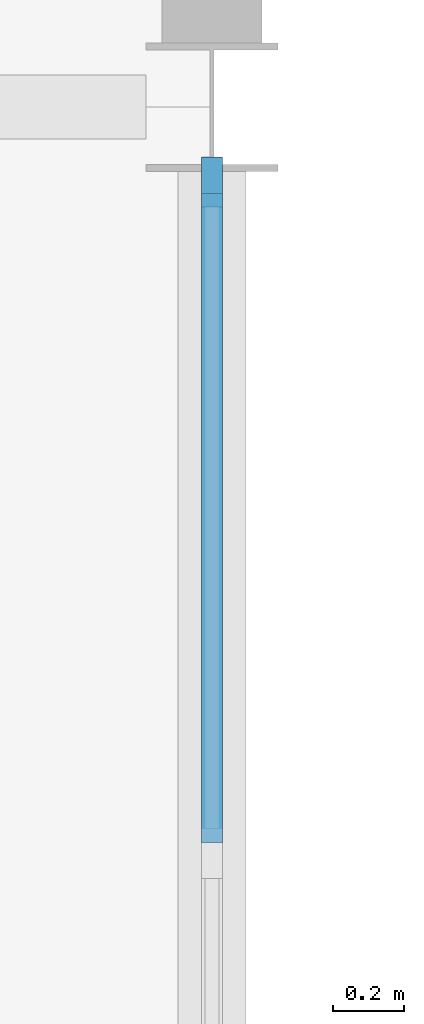
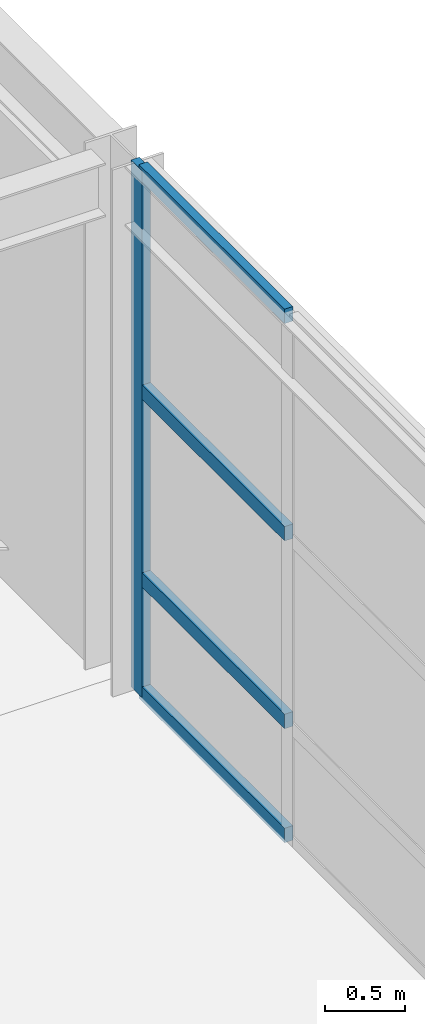
# One storey, part 11 of 34: 5 members, 1 element without a shape of its own.
"""IFC4 building model written with IfcOpenShell, lengths in metres."""

from ifc_helpers import new_model, si_unit, direction, frame, origin, origin_2d, place, context, subcontext, project, spatial, rectangle, extrude, material, layer, layer_set, material_profile, profile_set, type_object, element, aggregate, save


model = new_model("IFC4")

# Units and contexts
model_context = context("Model", 3, precision=1e-05, world=origin(), true_north=direction((0.0, 1.0)))
body_context = subcontext(model_context, "Body", "Model", "MODEL_VIEW")
ifc_project = project(units=[si_unit("LENGTHUNIT", "METRE"), si_unit("AREAUNIT", "SQUARE_METRE"), si_unit("VOLUMEUNIT", "CUBIC_METRE"), si_unit("PLANEANGLEUNIT", "RADIAN"), si_unit("MASSUNIT", "GRAM", prefix="KILO")], contexts=[model_context])

# Site, building, storey
site_placement = place(None, origin())
site = spatial("IfcSite", under=ifc_project, at=site_placement, CompositionType="ELEMENT")
building_placement = place(site_placement, origin())
building = spatial("IfcBuilding", under=site, at=building_placement, Name="Varnela Railside Interchange", CompositionType="ELEMENT")
storey_placement = place(building_placement, frame((0.0, 0.0, 19.60009765625)))
storey = spatial("IfcBuildingStorey", under=building, at=storey_placement, Name="L04", CompositionType="ELEMENT", Elevation=19.60009765625)

# Curtain wall, members
ifc_material = material(Name="Aluminium 6063-T6", Category="aluminium")
ifc_layer = layer(ifc_material, 0.035888671875)
ifc_layer_set = layer_set([ifc_layer], Name="Aluminium 6063-T6")
curtain_wall_type = type_object("IfcCurtainWallType", Name="Operations Wing Facade Curtain Wall CW-03", PredefinedType="USERDEFINED", material=ifc_layer_set)
curtain_wall_placement = place(storey_placement, origin())
curtain_wall = element("IfcCurtainWall", 1, at=curtain_wall_placement, inside=storey, type_object=curtain_wall_type, Name="Curtain Wall CW-03 (L04) (CW-112)", ObjectType="CURTAIN WALL", PredefinedType="USERDEFINED")
ifc_material_profile_1 = material_profile(ifc_material, rectangle(XDim=0.06005859375, YDim=0.139892578125, at=origin_2d()), Name="ALU 60x140")
ifc_profile_set_1 = profile_set([ifc_material_profile_1], Name="Aluminium 6063-T6")
member_type_1 = type_object("IfcMemberType", Name="Curtain Wall Mullion ML-01", PredefinedType="MULLION", material=ifc_profile_set_1)
member_1_placement = place(storey_placement, frame((52.0, 69.7900390625, 0.0), z_axis=(0.0, 0.0, 1.0), x_axis=(1.0, 0.0, 0.0)))
member_1 = element("IfcMember", 2, at=member_1_placement, type_object=member_type_1, Name="CW-03 mullion 1", PredefinedType="MULLION", context=body_context, shape_type="SweptSolid", body=[
    extrude(rectangle(XDim=0.06005859375, YDim=0.139892578125, at=origin_2d()), origin(), (0.0, 0.0, 1.0), 4.02001953125),
])
ifc_material_profile_2 = material_profile(ifc_material, rectangle(XDim=0.06005859375, YDim=0.110107421875, at=origin_2d()), Name="ALU 60x110")
ifc_profile_set_2 = profile_set([ifc_material_profile_2], Name="Aluminium 6063-T6")
member_type_2 = type_object("IfcMemberType", Name="Curtain Wall Transom TR-01", PredefinedType="USERDEFINED", material=ifc_profile_set_2)
member_2_placement = place(storey_placement, frame((52.0, 69.760009765625, 0.02978515625), z_axis=(0.0, -1.0, 0.0), x_axis=(1.0, 0.0, 0.0)))
member_2 = element("IfcMember", 3, at=member_2_placement, type_object=member_type_2, Name="CW-03 transom 1.1", ObjectType="TRANSOM", PredefinedType="USERDEFINED", context=body_context, shape_type="SweptSolid", body=[
    extrude(rectangle(XDim=0.06005859375, YDim=0.110107421875, at=origin_2d()), origin(), (0.0, 0.0, 1.0), 1.820068359375),
])
member_3_placement = place(storey_placement, frame((52.0, 69.760009765625, 0.89990234375), z_axis=(0.0, -1.0, 0.0), x_axis=(1.0, 0.0, 0.0)))
member_3 = element("IfcMember", 4, at=member_3_placement, type_object=member_type_2, Name="CW-03 transom 1.2", ObjectType="TRANSOM", PredefinedType="USERDEFINED", context=body_context, shape_type="SweptSolid", body=[
    extrude(rectangle(XDim=0.06005859375, YDim=0.110107421875, at=origin_2d()), origin(), (0.0, 0.0, 1.0), 1.820068359375),
])
member_4_placement = place(storey_placement, frame((52.0, 69.760009765625, 2.33154296875), z_axis=(0.0, -1.0, 0.0), x_axis=(1.0, 0.0, 0.0)))
member_4 = element("IfcMember", 5, at=member_4_placement, type_object=member_type_2, Name="CW-03 transom 1.3", ObjectType="TRANSOM", PredefinedType="USERDEFINED", context=body_context, shape_type="SweptSolid", body=[
    extrude(rectangle(XDim=0.06005859375, YDim=0.110107421875, at=origin_2d()), origin(), (0.0, 0.0, 1.0), 1.820068359375),
])
member_5_placement = place(storey_placement, frame((52.0, 69.760009765625, 3.989990234375), z_axis=(0.0, -1.0, 0.0), x_axis=(1.0, 0.0, 0.0)))
member_5 = element("IfcMember", 6, at=member_5_placement, type_object=member_type_2, Name="CW-03 transom 1.4", ObjectType="TRANSOM", PredefinedType="USERDEFINED", context=body_context, shape_type="SweptSolid", body=[
    extrude(rectangle(XDim=0.06005859375, YDim=0.110107421875, at=origin_2d()), origin(), (0.0, 0.0, 1.0), 1.820068359375),
])
aggregate(curtain_wall, [member_1, member_2, member_3, member_4, member_5])

save(model, "model.ifc")
